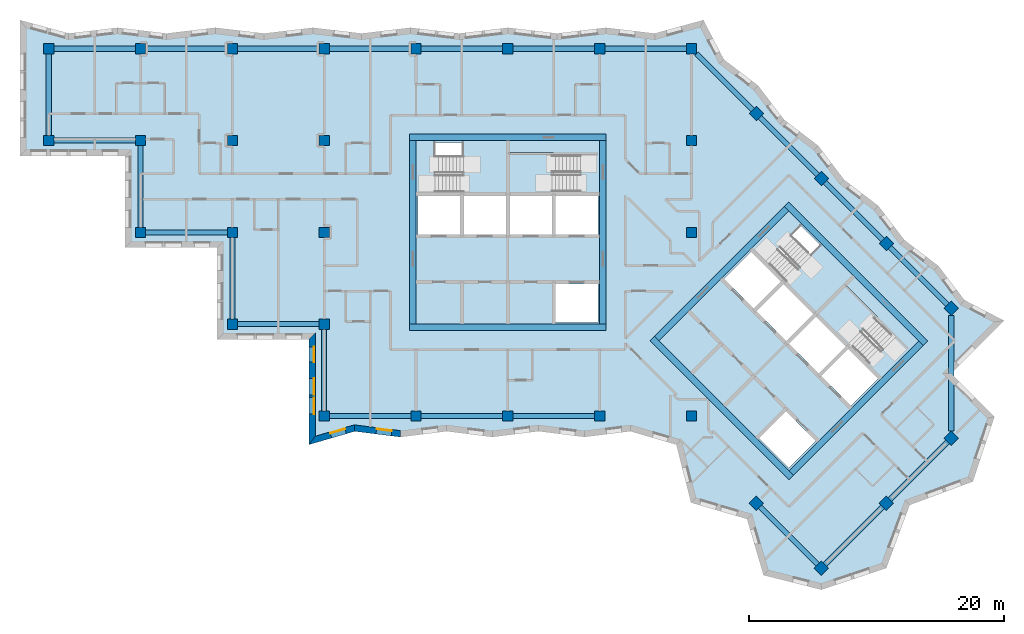
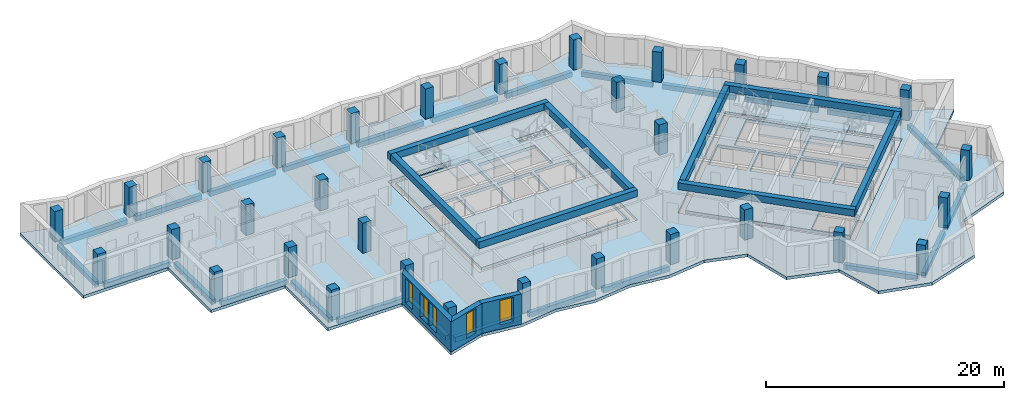
# One storey, part 1 of 12: 33 beams, 32 columns, 7 slabs, 5 windows, 3 walls, 21 openings, 4 elements without a shape of their own.
"""IFC4 building model written with IfcOpenShell, lengths in metres."""

from ifc_helpers import new_model, si_unit, direction, frame, frame_2d, origin, origin_2d, place, context, subcontext, project, spatial, polyline, rectangle, outline, extrude, material, layer, layer_set, material_profile, profile_set, type_object, element, fill, aggregate, save


model = new_model("IFC4")

# Units and contexts
model_context = context("Model", 3, precision=1e-05, world=origin(), true_north=direction((0.0, 1.0)))
body_context = subcontext(model_context, "Body", "Model", "MODEL_VIEW")
ifc_project = project(units=[si_unit("LENGTHUNIT", "METRE"), si_unit("AREAUNIT", "SQUARE_METRE"), si_unit("VOLUMEUNIT", "CUBIC_METRE"), si_unit("PLANEANGLEUNIT", "RADIAN"), si_unit("MASSUNIT", "GRAM", prefix="KILO")], contexts=[model_context])

# Site, building, storey
site_placement = place(None, origin())
site = spatial("IfcSite", under=ifc_project, at=site_placement, CompositionType="ELEMENT")
building_placement = place(site_placement, origin())
building = spatial("IfcBuilding", under=site, at=building_placement, Name="Windrow Commons", CompositionType="ELEMENT")
storey_placement = place(building_placement, frame((0.0, 0.0, 206.6)))
storey = spatial("IfcBuildingStorey", under=building, at=storey_placement, Name="L56", CompositionType="ELEMENT", Elevation=206.6)

# Columns
ifc_material_1 = material(Name="Concrete C50/60", Category="concrete")
ifc_material_profile_1 = material_profile(ifc_material_1, rectangle(XDim=0.8, YDim=0.8, at=origin_2d()))
ifc_profile_set_1 = profile_set([ifc_material_profile_1], Name="Concrete C50/60")
column_type = type_object("IfcColumnType", Name="RC COLUMN 800x800 C50/60", PredefinedType="COLUMN", material=ifc_profile_set_1)
for number, where, z_axis, x_axis, name in (
    (1, (28.8, 64.8, 0.0), (0.0, 0.0, 1.0), (1.0, 0.0, 0.0), "C-Z4-05I"),
    (2, (28.8, 72.0, 0.0), (0.0, 0.0, 1.0), (1.0, 0.0, 0.0), "C-Z4-05J"),
    (3, (36.0, 57.6, 0.0), (0.0, 0.0, 1.0), (1.0, 0.0, 0.0), "C-Z4-06H"),
    (4, (36.0, 64.8, 0.0), (0.0, 0.0, 1.0), (1.0, 0.0, 0.0), "C-Z4-06I"),
    (5, (36.0, 72.0, 0.0), (0.0, 0.0, 1.0), (1.0, 0.0, 0.0), "C-Z4-06J"),
    (6, (43.2, 50.4, 0.0), (0.0, 0.0, 1.0), (1.0, 0.0, 0.0), "C-Z4-07G"),
    (7, (43.2, 57.6, 0.0), (0.0, 0.0, 1.0), (1.0, 0.0, 0.0), "C-Z4-07H"),
    (8, (43.2, 64.8, 0.0), (0.0, 0.0, 1.0), (1.0, 0.0, 0.0), "C-Z4-07I"),
    (9, (43.2, 72.0, 0.0), (0.0, 0.0, 1.0), (1.0, 0.0, 0.0), "C-Z4-07J"),
    (10, (50.4, 43.2, 0.0), (0.0, 0.0, 1.0), (1.0, 0.0, 0.0), "C-Z4-08F"),
    (11, (50.4, 50.4, 0.0), (0.0, 0.0, 1.0), (1.0, 0.0, 0.0), "C-Z4-08G"),
    (12, (50.4, 57.6, 0.0), (0.0, 0.0, 1.0), (1.0, 0.0, 0.0), "C-Z4-08H"),
    (13, (50.4, 64.8, 0.0), (0.0, 0.0, 1.0), (1.0, 0.0, 0.0), "C-Z4-08I"),
    (14, (50.4, 72.0, 0.0), (0.0, 0.0, 1.0), (1.0, 0.0, 0.0), "C-Z4-08J"),
    (15, (57.6, 43.2, 0.0), (0.0, 0.0, 1.0), (1.0, 0.0, 0.0), "C-Z4-09F"),
    (16, (57.6, 72.0, 0.0), (0.0, 0.0, 1.0), (1.0, 0.0, 0.0), "C-Z4-09J"),
    (17, (64.8, 43.2, 0.0), (0.0, 0.0, 1.0), (1.0, 0.0, 0.0), "C-Z4-10F"),
    (18, (64.8, 72.0, 0.0), (0.0, 0.0, 1.0), (1.0, 0.0, 0.0), "C-Z4-10J"),
    (19, (72.0, 43.2, 0.0), (0.0, 0.0, 1.0), (1.0, 0.0, 0.0), "C-Z4-11F"),
    (20, (72.0, 72.0, 0.0), (0.0, 0.0, 1.0), (1.0, 0.0, 0.0), "C-Z4-11J"),
    (21, (79.2, 43.2, 0.0), (0.0, 0.0, 1.0), (1.0, 0.0, 0.0), "C-Z4-12F"),
    (22, (79.2, 57.6, 0.0), (0.0, 0.0, 1.0), (1.0, 0.0, 0.0), "C-Z4-12H"),
    (23, (79.2, 64.8, 0.0), (0.0, 0.0, 1.0), (1.0, 0.0, 0.0), "C-Z4-12I"),
    (24, (79.2, 72.0, 0.0), (0.0, 0.0, 1.0), (1.0, 0.0, 0.0), "C-Z4-12J"),
    (25, (84.2912, 66.9088, 0.0), (0.0, 0.0, 1.0), (0.7071067812, -0.7071067812, 0.0), "C-Z4-P2Q"),
    (26, (89.3823, 61.8177, 0.0), (0.0, 0.0, 1.0), (0.7071067812, -0.7071067812, 0.0), "C-Z4-P3Q"),
    (27, (94.4735, 56.7265, 0.0), (0.0, 0.0, 1.0), (0.7071067812, -0.7071067812, 0.0), "C-Z4-P4Q"),
    (28, (99.5647, 51.6353, 0.0), (0.0, 0.0, 1.0), (0.7071067812, -0.7071067812, 0.0), "C-Z4-P5Q"),
    (29, (84.2912, 36.3618, 0.0), (0.0, 0.0, 1.0), (0.7071067812, -0.7071067812, 0.0), "C-Z4-P5T"),
    (30, (99.5647, 41.453, 0.0), (0.0, 0.0, 1.0), (0.7071067812, -0.7071067812, 0.0), "C-Z4-P6R"),
    (31, (94.4735, 36.3618, 0.0), (0.0, 0.0, 1.0), (0.7071067812, -0.7071067812, 0.0), "C-Z4-P6S"),
    (32, (89.3823, 31.2706, 0.0), (0.0, 0.0, 1.0), (0.7071067812, -0.7071067812, 0.0), "C-Z4-P6T"),
):
    element("IfcColumn", number, at=place(storey_placement, frame(where, z_axis=z_axis, x_axis=x_axis)), inside=storey, type_object=column_type, Name=name, PredefinedType="COLUMN", context=body_context, shape_type="SweptSolid", body=[
        extrude(rectangle(XDim=0.8, YDim=0.8, at=origin_2d()), origin(), (0.0, 0.0, 1.0), 3.1),
    ])

# Beams
ifc_material_2 = material(Name="Concrete C40/50", Category="concrete")
ifc_material_profile_2 = material_profile(ifc_material_2, rectangle(XDim=0.5, YDim=0.7, at=origin_2d()))
ifc_profile_set_2 = profile_set([ifc_material_profile_2], Name="Concrete C40/50")
beam_type_1 = type_object("IfcBeamType", Name="RC COUPLING BEAM 500x700 C40/50", PredefinedType="LINTEL", material=ifc_profile_set_2)
for number, where, z_axis, x_axis, name in (
    (33, (57.1, 50.15, 2.75), (1.0, 0.0, 0.0), (0.0, 1.0, 0.0), "Core A coupling beam outer-S"),
    (34, (57.1, 65.05, 2.75), (1.0, 0.0, 0.0), (0.0, 1.0, 0.0), "Core A coupling beam outer-N"),
):
    element("IfcBeam", number, at=place(storey_placement, frame(where, z_axis=z_axis, x_axis=x_axis)), inside=storey, type_object=beam_type_1, Name=name, PredefinedType="LINTEL", context=body_context, shape_type="SweptSolid", body=[
        extrude(rectangle(XDim=0.5, YDim=0.7, at=origin_2d()), origin(), (0.0, 0.0, 1.0), 15.4),
    ])
for number, where, z_axis, x_axis, name in (
    (35, (57.35, 50.4, 2.75), (0.0, 1.0, 0.0), (-1.0, 0.0, 0.0), "Core A coupling beam outer-W"),
    (36, (72.25, 50.4, 2.75), (0.0, 1.0, 0.0), (-1.0, 0.0, 0.0), "Core A coupling beam outer-E"),
):
    element("IfcBeam", number, at=place(storey_placement, frame(where, z_axis=z_axis, x_axis=x_axis)), inside=storey, type_object=beam_type_1, Name=name, PredefinedType="LINTEL", context=body_context, shape_type="SweptSolid", body=[
        extrude(rectangle(XDim=0.5, YDim=0.7, at=origin_2d()), origin(), (0.0, 0.0, 1.0), 14.4),
    ])
for number, where, z_axis, x_axis, name in (
    (37, (76.1241, 49.2665, 2.75), (0.7071067812, -0.7071067812, 0.0), (0.7071067812, 0.7071067812, 0.0), "Core B coupling beam outer-S"),
    (38, (86.66, 59.8024, 2.75), (0.7071067812, -0.7071067812, 0.0), (0.7071067812, 0.7071067812, 0.0), "Core B coupling beam outer-N"),
):
    element("IfcBeam", number, at=place(storey_placement, frame(where, z_axis=z_axis, x_axis=x_axis)), inside=storey, type_object=beam_type_1, Name=name, PredefinedType="LINTEL", context=body_context, shape_type="SweptSolid", body=[
        extrude(rectangle(XDim=0.5, YDim=0.7, at=origin_2d()), origin(), (0.0, 0.0, 1.0), 15.3999),
    ])
for number, where, z_axis, x_axis, name in (
    (39, (76.4776, 49.2665, 2.75), (0.7071067812, 0.7071067812, 0.0), (-0.7071067812, 0.7071067812, 0.0), "Core B coupling beam outer-W"),
    (40, (87.0135, 38.7306, 2.75), (0.7071067812, 0.7071067812, 0.0), (-0.7071067812, 0.7071067812, 0.0), "Core B coupling beam outer-E"),
):
    element("IfcBeam", number, at=place(storey_placement, frame(where, z_axis=z_axis, x_axis=x_axis)), inside=storey, type_object=beam_type_1, Name=name, PredefinedType="LINTEL", context=body_context, shape_type="SweptSolid", body=[
        extrude(rectangle(XDim=0.5, YDim=0.7, at=origin_2d()), origin(), (0.0, 0.0, 1.0), 14.4001),
    ])
ifc_material_3 = material(Name="Concrete C40/50", Category="concrete")
ifc_material_profile_3 = material_profile(ifc_material_3, rectangle(XDim=0.4, YDim=0.5, at=origin_2d()))
ifc_profile_set_3 = profile_set([ifc_material_profile_3], Name="Concrete C40/50")
beam_type_2 = type_object("IfcBeamType", Name="RC EDGE BEAM 400x500 C40/50", PredefinedType="SPANDREL", material=ifc_profile_set_3)
for number, where, z_axis, x_axis, name in (
    (41, (57.2, 43.2, -0.55), (-1.0, 0.0, 0.0), (0.0, -1.0, 0.0), "Edge beam L56 001"),
    (42, (50.4, 43.6, -0.55), (0.0, 1.0, 0.0), (-1.0, 0.0, 0.0), "Edge beam L56 002"),
    (43, (50.0, 50.4, -0.55), (-1.0, 0.0, 0.0), (0.0, -1.0, 0.0), "Edge beam L56 003"),
    (44, (43.2, 50.8, -0.55), (0.0, 1.0, 0.0), (-1.0, 0.0, 0.0), "Edge beam L56 004"),
    (45, (42.8, 57.6, -0.55), (-1.0, 0.0, 0.0), (0.0, -1.0, 0.0), "Edge beam L56 005"),
    (46, (36.0, 58.0, -0.55), (0.0, 1.0, 0.0), (-1.0, 0.0, 0.0), "Edge beam L56 006"),
    (47, (35.6, 64.8, -0.55), (-1.0, 0.0, 0.0), (0.0, -1.0, 0.0), "Edge beam L56 007"),
    (48, (28.8, 65.2, -0.55), (0.0, 1.0, 0.0), (-1.0, 0.0, 0.0), "Edge beam L56 008"),
    (49, (29.2, 72.0, -0.55), (1.0, 0.0, 0.0), (0.0, 1.0, 0.0), "Edge beam L56 009"),
    (50, (36.4, 72.0, -0.55), (1.0, 0.0, 0.0), (0.0, 1.0, 0.0), "Edge beam L56 010"),
    (51, (43.6, 72.0, -0.55), (1.0, 0.0, 0.0), (0.0, 1.0, 0.0), "Edge beam L56 011"),
    (52, (50.8, 72.0, -0.55), (1.0, 0.0, 0.0), (0.0, 1.0, 0.0), "Edge beam L56 012"),
    (53, (58.0, 72.0, -0.55), (1.0, 0.0, 0.0), (0.0, 1.0, 0.0), "Edge beam L56 013"),
    (54, (65.2, 72.0, -0.55), (1.0, 0.0, 0.0), (0.0, 1.0, 0.0), "Edge beam L56 014"),
    (55, (72.4, 72.0, -0.55), (1.0, 0.0, 0.0), (0.0, 1.0, 0.0), "Edge beam L56 015"),
):
    element("IfcBeam", number, at=place(storey_placement, frame(where, z_axis=z_axis, x_axis=x_axis)), inside=storey, type_object=beam_type_2, Name=name, PredefinedType="SPANDREL", context=body_context, shape_type="SweptSolid", body=[
        extrude(rectangle(XDim=0.4, YDim=0.5, at=origin_2d()), origin(), (0.0, 0.0, 1.0), 6.4),
    ])
beam_1_placement = place(storey_placement, frame((79.6, 71.6, -0.55), z_axis=(0.7071067812, -0.7071067812, 0.0), x_axis=(0.7071067812, 0.7071067812, 0.0)))
element("IfcBeam", 56, at=beam_1_placement, inside=storey, type_object=beam_type_2, Name="Edge beam L56 016", PredefinedType="SPANDREL", context=body_context, shape_type="SweptSolid", body=[
    extrude(rectangle(XDim=0.4, YDim=0.5, at=origin_2d()), origin(), (0.0, 0.0, 1.0), 6.2344),
])
beam_2_placement = place(storey_placement, frame((84.574, 66.626, -0.55), z_axis=(0.7071067812, -0.7071067812, 0.0), x_axis=(0.7071067812, 0.7071067812, 0.0)))
element("IfcBeam", 57, at=beam_2_placement, inside=storey, type_object=beam_type_2, Name="Edge beam L56 017", PredefinedType="SPANDREL", context=body_context, shape_type="SweptSolid", body=[
    extrude(rectangle(XDim=0.4, YDim=0.5, at=origin_2d()), origin(), (0.0, 0.0, 1.0), 6.4),
])
for number, where, z_axis, x_axis, name in (
    (58, (89.6651, 61.5349, -0.55), (0.7071067812, -0.7071067812, 0.0), (0.7071067812, 0.7071067812, 0.0), "Edge beam L56 018"),
    (59, (94.7563, 56.4437, -0.55), (0.7071067812, -0.7071067812, 0.0), (0.7071067812, 0.7071067812, 0.0), "Edge beam L56 019"),
):
    element("IfcBeam", number, at=place(storey_placement, frame(where, z_axis=z_axis, x_axis=x_axis)), inside=storey, type_object=beam_type_2, Name=name, PredefinedType="SPANDREL", context=body_context, shape_type="SweptSolid", body=[
        extrude(rectangle(XDim=0.4, YDim=0.5, at=origin_2d()), origin(), (0.0, 0.0, 1.0), 6.4002),
    ])
beam_3_placement = place(storey_placement, frame((99.5647, 51.0696, -0.55), z_axis=(0.0, -1.0, 0.0), x_axis=(1.0, 0.0, 0.0)))
element("IfcBeam", 60, at=beam_3_placement, inside=storey, type_object=beam_type_2, Name="Edge beam L56 020", PredefinedType="SPANDREL", context=body_context, shape_type="SweptSolid", body=[
    extrude(rectangle(XDim=0.4, YDim=0.5, at=origin_2d()), origin(), (0.0, 0.0, 1.0), 9.0509),
])
for number, where, z_axis, x_axis, name in (
    (61, (99.2819, 41.1702, -0.55), (-0.7071067812, -0.7071067812, 0.0), (0.7071067812, -0.7071067812, 0.0), "Edge beam L56 021"),
    (62, (94.1907, 36.079, -0.55), (-0.7071067812, -0.7071067812, 0.0), (0.7071067812, -0.7071067812, 0.0), "Edge beam L56 022"),
):
    element("IfcBeam", number, at=place(storey_placement, frame(where, z_axis=z_axis, x_axis=x_axis)), inside=storey, type_object=beam_type_2, Name=name, PredefinedType="SPANDREL", context=body_context, shape_type="SweptSolid", body=[
        extrude(rectangle(XDim=0.4, YDim=0.5, at=origin_2d()), origin(), (0.0, 0.0, 1.0), 6.4002),
    ])
beam_4_placement = place(storey_placement, frame((89.0995, 31.5534, -0.55), z_axis=(-0.7070989688, 0.7071145935, 0.0), x_axis=(-0.7071145935, -0.7070989688, 0.0)))
element("IfcBeam", 63, at=beam_4_placement, inside=storey, type_object=beam_type_2, Name="Edge beam L56 023", PredefinedType="SPANDREL", context=body_context, shape_type="SweptSolid", body=[
    extrude(rectangle(XDim=0.4, YDim=0.5, at=origin_2d()), origin(), (0.0, 0.0, 1.0), 6.4001),
])
for number, where, z_axis, x_axis, name in (
    (64, (71.6, 43.2, -0.55), (-1.0, 0.0, 0.0), (0.0, -1.0, 0.0), "Edge beam L56 024"),
    (65, (64.4, 43.2, -0.55), (-1.0, 0.0, 0.0), (0.0, -1.0, 0.0), "Edge beam L56 025"),
):
    element("IfcBeam", number, at=place(storey_placement, frame(where, z_axis=z_axis, x_axis=x_axis)), inside=storey, type_object=beam_type_2, Name=name, PredefinedType="SPANDREL", context=body_context, shape_type="SweptSolid", body=[
        extrude(rectangle(XDim=0.4, YDim=0.5, at=origin_2d()), origin(), (0.0, 0.0, 1.0), 6.4),
    ])

# Slab, openings
ifc_material_4 = material(Name="Concrete C40/50", Category="concrete")
ifc_layer_1 = layer(ifc_material_4, 0.3)
ifc_layer_set_1 = layer_set([ifc_layer_1], Name="CORE FLOOR SLAB 300 C40/50")
slab_type_1 = type_object("IfcSlabType", Name="CORE FLOOR SLAB 300 C40/50", PredefinedType="FLOOR", material=ifc_layer_set_1)
placement_1 = place(storey_placement, frame((0.0, 0.0, -0.3)))
slab_1 = element("IfcSlab", 66, at=placement_1, inside=storey, type_object=slab_type_1, Name="S-L56-core-A", PredefinedType="FLOOR", context=body_context, shape_type="SweptSolid", body=[
    extrude(outline(polyline([(57.6, 50.4), (72.0, 50.4), (72.0, 64.8), (57.6, 64.8), (57.6, 50.4)]), holes=[polyline([(68.55, 50.55), (71.85, 50.55), (71.85, 53.55), (68.55, 53.55), (68.55, 50.55)]), polyline([(57.75, 57.45), (61.05, 57.45), (61.05, 60.45), (57.75, 60.45), (57.75, 57.45)]), polyline([(61.35, 57.45), (64.65, 57.45), (64.65, 60.45), (61.35, 60.45), (61.35, 57.45)]), polyline([(64.95, 57.45), (68.25, 57.45), (68.25, 60.45), (64.95, 60.45), (64.95, 57.45)]), polyline([(68.55, 57.45), (71.85, 57.45), (71.85, 60.45), (68.55, 60.45), (68.55, 57.45)]), polyline([(59.1, 60.75), (64.65, 60.75), (64.65, 64.65), (59.1, 64.65), (59.1, 60.75)]), polyline([(64.95, 60.75), (70.5, 60.75), (70.5, 63.705), (64.95, 63.705), (64.95, 60.75)])]), origin(), (0.0, 0.0, 1.0), 0.3),
])
opening_1_placement = place(placement_1, origin())
element("IfcOpeningElement", 67, at=opening_1_placement, cuts=slab_1, Name="Slab opening S-L56-core-A 1", PredefinedType="OPENING", context=body_context, shape_type="SweptSolid", body=[
    extrude(outline(polyline([(68.555, 50.555), (68.555, 53.545), (71.845, 53.545), (71.845, 50.555), (68.555, 50.555)])), origin(), (0.0, 0.0, 1.0), 0.3),
])
opening_2_placement = place(placement_1, origin())
element("IfcOpeningElement", 68, at=opening_2_placement, cuts=slab_1, Name="Slab opening S-L56-core-A 2", PredefinedType="OPENING", context=body_context, shape_type="SweptSolid", body=[
    extrude(outline(polyline([(57.755, 57.455), (57.755, 60.445), (61.045, 60.445), (61.045, 57.455), (57.755, 57.455)])), origin(), (0.0, 0.0, 1.0), 0.3),
])
opening_3_placement = place(placement_1, origin())
element("IfcOpeningElement", 69, at=opening_3_placement, cuts=slab_1, Name="Slab opening S-L56-core-A 3", PredefinedType="OPENING", context=body_context, shape_type="SweptSolid", body=[
    extrude(outline(polyline([(61.355, 57.455), (61.355, 60.445), (64.645, 60.445), (64.645, 57.455), (61.355, 57.455)])), origin(), (0.0, 0.0, 1.0), 0.3),
])
opening_4_placement = place(placement_1, origin())
element("IfcOpeningElement", 70, at=opening_4_placement, cuts=slab_1, Name="Slab opening S-L56-core-A 4", PredefinedType="OPENING", context=body_context, shape_type="SweptSolid", body=[
    extrude(outline(polyline([(64.955, 57.455), (64.955, 60.445), (68.245, 60.445), (68.245, 57.455), (64.955, 57.455)])), origin(), (0.0, 0.0, 1.0), 0.3),
])
opening_5_placement = place(placement_1, origin())
element("IfcOpeningElement", 71, at=opening_5_placement, cuts=slab_1, Name="Slab opening S-L56-core-A 5", PredefinedType="OPENING", context=body_context, shape_type="SweptSolid", body=[
    extrude(outline(polyline([(68.555, 57.455), (68.555, 60.445), (71.845, 60.445), (71.845, 57.455), (68.555, 57.455)])), origin(), (0.0, 0.0, 1.0), 0.3),
])
opening_6_placement = place(placement_1, origin())
element("IfcOpeningElement", 72, at=opening_6_placement, cuts=slab_1, Name="Slab opening S-L56-core-A 6", PredefinedType="OPENING", context=body_context, shape_type="SweptSolid", body=[
    extrude(outline(polyline([(59.105, 60.755), (59.105, 64.645), (64.645, 64.645), (64.645, 60.755), (59.105, 60.755)])), origin(), (0.0, 0.0, 1.0), 0.3),
])
opening_7_placement = place(placement_1, origin())
element("IfcOpeningElement", 73, at=opening_7_placement, cuts=slab_1, Name="Slab opening S-L56-core-A 7", PredefinedType="OPENING", context=body_context, shape_type="SweptSolid", body=[
    extrude(outline(polyline([(64.955, 60.755), (64.955, 63.7), (70.495, 63.7), (70.495, 60.755), (64.955, 60.755)])), origin(), (0.0, 0.0, 1.0), 0.3),
])

slab_2 = element("IfcSlab", 74, at=placement_1, inside=storey, type_object=slab_type_1, Name="S-L56-core-B", PredefinedType="FLOOR", context=body_context, shape_type="SweptSolid", body=[
    extrude(outline(polyline([(76.6544, 49.0897), (86.8368, 38.9074), (97.0191, 49.0897), (86.8368, 59.2721), (76.6544, 49.0897)]), holes=[polyline([(84.5033, 41.453), (86.8368, 39.1195), (88.9581, 41.2409), (86.6246, 43.5743), (84.5033, 41.453)]), polyline([(81.7456, 53.9688), (84.079, 51.6353), (86.2004, 53.7566), (83.8669, 56.0901), (81.7456, 53.9688)]), polyline([(84.2912, 51.4232), (86.6246, 49.0897), (88.7459, 51.2111), (86.4125, 53.5445), (84.2912, 51.4232)]), polyline([(86.8368, 48.8776), (89.1702, 46.5442), (91.2915, 48.6655), (88.9581, 50.9989), (86.8368, 48.8776)]), polyline([(89.3823, 46.332), (91.7158, 43.9986), (93.8371, 46.1199), (91.5037, 48.4533), (89.3823, 46.332)]), polyline([(85.0336, 55.3476), (88.9581, 51.4232), (91.7158, 54.1809), (87.7913, 58.1054), (85.0336, 55.3476)]), polyline([(89.1702, 51.2111), (93.0946, 47.2866), (95.1841, 49.3761), (91.2597, 53.3006), (89.1702, 51.2111)])]), origin(), (0.0, 0.0, 1.0), 0.3),
])
opening_8_placement = place(placement_1, origin())
element("IfcOpeningElement", 75, at=opening_8_placement, cuts=slab_2, Name="Slab opening S-L56-core-B 1", PredefinedType="OPENING", context=body_context, shape_type="SweptSolid", body=[
    extrude(outline(polyline([(84.5104, 41.453), (86.6246, 43.5672), (88.951, 41.2409), (86.8368, 39.1266), (84.5104, 41.453)])), origin(), (0.0, 0.0, 1.0), 0.3),
])
opening_9_placement = place(placement_1, origin())
element("IfcOpeningElement", 76, at=opening_9_placement, cuts=slab_2, Name="Slab opening S-L56-core-B 2", PredefinedType="OPENING", context=body_context, shape_type="SweptSolid", body=[
    extrude(outline(polyline([(81.7527, 53.9688), (83.8669, 56.083), (86.1933, 53.7566), (84.079, 51.6424), (81.7527, 53.9688)])), origin(), (0.0, 0.0, 1.0), 0.3),
])
opening_10_placement = place(placement_1, origin())
element("IfcOpeningElement", 77, at=opening_10_placement, cuts=slab_2, Name="Slab opening S-L56-core-B 3", PredefinedType="OPENING", context=body_context, shape_type="SweptSolid", body=[
    extrude(outline(polyline([(84.2983, 51.4232), (86.4125, 53.5374), (88.7388, 51.2111), (86.6246, 49.0968), (84.2983, 51.4232)])), origin(), (0.0, 0.0, 1.0), 0.3),
])
opening_11_placement = place(placement_1, origin())
element("IfcOpeningElement", 78, at=opening_11_placement, cuts=slab_2, Name="Slab opening S-L56-core-B 4", PredefinedType="OPENING", context=body_context, shape_type="SweptSolid", body=[
    extrude(outline(polyline([(86.8439, 48.8776), (88.9581, 50.9918), (91.2844, 48.6655), (89.1702, 46.5513), (86.8439, 48.8776)])), origin(), (0.0, 0.0, 1.0), 0.3),
])
opening_12_placement = place(placement_1, origin())
element("IfcOpeningElement", 79, at=opening_12_placement, cuts=slab_2, Name="Slab opening S-L56-core-B 5", PredefinedType="OPENING", context=body_context, shape_type="SweptSolid", body=[
    extrude(outline(polyline([(89.3894, 46.332), (91.5037, 48.4462), (93.83, 46.1199), (91.7158, 44.0057), (89.3894, 46.332)])), origin(), (0.0, 0.0, 1.0), 0.3),
])
opening_13_placement = place(placement_1, origin())
element("IfcOpeningElement", 80, at=opening_13_placement, cuts=slab_2, Name="Slab opening S-L56-core-B 6", PredefinedType="OPENING", context=body_context, shape_type="SweptSolid", body=[
    extrude(outline(polyline([(85.0407, 55.3476), (87.7913, 58.0983), (91.7087, 54.1809), (88.9581, 51.4303), (85.0407, 55.3476)])), origin(), (0.0, 0.0, 1.0), 0.3),
])
opening_14_placement = place(placement_1, origin())
element("IfcOpeningElement", 81, at=opening_14_placement, cuts=slab_2, Name="Slab opening S-L56-core-B 7", PredefinedType="OPENING", context=body_context, shape_type="SweptSolid", body=[
    extrude(outline(polyline([(89.1773, 51.2111), (91.2597, 53.2935), (95.177, 49.3761), (93.0946, 47.2937), (89.1773, 51.2111)])), origin(), (0.0, 0.0, 1.0), 0.3),
])

# Stair, slab
ifc_material_5 = material(Name="Concrete C40/50", Category="concrete")
stair_type = type_object("IfcStairType", Name="Core stair", PredefinedType="HALF_TURN_STAIR", material=ifc_material_5)
placement_2 = place(storey_placement, origin())
stair_1 = element("IfcStair", 82, at=placement_2, inside=storey, type_object=stair_type, Name="L56 Exit stair A1 core A", PredefinedType="HALF_TURN_STAIR")
ifc_material_6 = material(Name="Concrete C40/50", Category="concrete")
ifc_layer_2 = layer(ifc_material_6, 0.2)
ifc_layer_set_2 = layer_set([ifc_layer_2], Name="Core stair landing")
slab_type_2 = type_object("IfcSlabType", Name="Core stair landing", PredefinedType="LANDING", material=ifc_layer_set_2)
placement_3 = place(storey_placement, frame((0.0, 0.0, 1.5)))
slab_3 = element("IfcSlab", 83, at=placement_3, type_object=slab_type_2, Name="ST-A1 landing 1", PredefinedType="LANDING", context=body_context, shape_type="SweptSolid", body=[
    extrude(outline(polyline([(61.22, 60.5), (64.8, 60.5), (64.8, 64.9), (61.22, 64.9), (61.22, 60.5)])), origin(), (0.0, 0.0, 1.0), 0.2),
])
aggregate(stair_1, [slab_3])

stair_2 = element("IfcStair", 84, at=placement_2, inside=storey, type_object=stair_type, Name="L56 Exit stair A2 core A", PredefinedType="HALF_TURN_STAIR")
slab_4 = element("IfcSlab", 85, at=placement_3, type_object=slab_type_2, Name="ST-A2 landing 1", PredefinedType="LANDING", context=body_context, shape_type="SweptSolid", body=[
    extrude(outline(polyline([(64.8, 60.5), (68.38, 60.5), (68.38, 63.855), (64.8, 63.855), (64.8, 60.5)])), origin(), (0.0, 0.0, 1.0), 0.2),
])
aggregate(stair_2, [slab_4])

stair_3 = element("IfcStair", 86, at=placement_2, inside=storey, type_object=stair_type, Name="L56 Exit stair B1 core B", PredefinedType="HALF_TURN_STAIR")
slab_5 = element("IfcSlab", 87, at=placement_3, type_object=slab_type_2, Name="ST-B1 landing 1", PredefinedType="LANDING", context=body_context, shape_type="SweptSolid", body=[
    extrude(outline(polyline([(86.3559, 53.6718), (88.8874, 51.1403), (91.9986, 54.2516), (89.4672, 56.7831), (86.3559, 53.6718)])), origin(), (0.0, 0.0, 1.0), 0.2),
])
aggregate(stair_3, [slab_5])

stair_4 = element("IfcStair", 88, at=placement_2, inside=storey, type_object=stair_type, Name="L56 Exit stair B2 core B", PredefinedType="HALF_TURN_STAIR")
slab_6 = element("IfcSlab", 89, at=placement_3, type_object=slab_type_2, Name="ST-B2 landing 1", PredefinedType="LANDING", context=body_context, shape_type="SweptSolid", body=[
    extrude(outline(polyline([(88.8874, 51.1403), (91.4188, 48.6089), (93.7911, 50.9812), (91.2597, 53.5127), (88.8874, 51.1403)])), origin(), (0.0, 0.0, 1.0), 0.2),
])
aggregate(stair_4, [slab_6])

# Slab, openings
ifc_material_7 = material(Name="Concrete C40/50", Category="concrete")
ifc_layer_3 = layer(ifc_material_7, 0.3)
ifc_layer_set_3 = layer_set([ifc_layer_3], Name="FLOOR SLAB 300 C40/50")
slab_type_3 = type_object("IfcSlabType", Name="FLOOR SLAB 300 C40/50", PredefinedType="FLOOR", material=ifc_layer_set_3)
slab_7 = element("IfcSlab", 90, at=placement_1, inside=storey, type_object=slab_type_3, Name="S-L56-floor", PredefinedType="FLOOR", context=body_context, shape_type="SweptSolid", body=[
    extrude(outline(polyline([(84.8414, 30.7204), (89.3823, 29.5736), (94.4735, 31.2706), (96.312, 36.2204), (101.2617, 38.0588), (102.9588, 43.15), (99.5647, 46.5442), (103.702, 50.6815), (100.6018, 52.2953), (98.5638, 54.9711), (95.8879, 57.0092), (93.8499, 59.685), (91.174, 61.7231), (89.136, 64.3989), (86.4601, 66.437), (84.4221, 69.1128), (81.7462, 71.1509), (80.1324, 74.251), (76.305, 73.2), (72.4777, 73.651), (68.6503, 73.2), (64.8229, 73.651), (60.9955, 73.2), (57.1681, 73.651), (53.3407, 73.2), (49.5133, 73.651), (45.6859, 73.2), (41.8586, 73.651), (38.0312, 73.2), (34.2038, 73.651), (30.3764, 73.2), (26.549, 74.251), (26.549, 63.6), (34.8, 63.6), (34.8, 56.4), (42.0, 56.4), (42.0, 49.2), (49.2, 49.2), (49.2, 40.949), (52.8009, 42.0), (56.4017, 41.549), (60.0026, 42.0), (63.6035, 41.549), (67.2043, 42.0), (70.8052, 41.549), (74.406, 42.0), (78.0069, 40.949), (79.1537, 36.4081), (83.5532, 35.1199), (84.8414, 30.7204)]), holes=[polyline([(75.9473, 49.0897), (86.8368, 59.9792), (97.7262, 49.0897), (86.8368, 38.2003), (75.9473, 49.0897)]), polyline([(57.1, 49.9), (57.1, 65.3), (72.5, 65.3), (72.5, 49.9), (57.1, 49.9)])]), origin(), (0.0, 0.0, 1.0), 0.3),
])
opening_15_placement = place(placement_1, origin())
element("IfcOpeningElement", 91, at=opening_15_placement, cuts=slab_7, Name="Slab opening S-L56-floor 1", PredefinedType="OPENING", context=body_context, shape_type="SweptSolid", body=[
    extrude(outline(polyline([(75.9544, 49.0897), (86.8368, 59.9721), (97.7191, 49.0897), (86.8368, 38.2074), (75.9544, 49.0897)])), origin(), (0.0, 0.0, 1.0), 0.3),
])
opening_16_placement = place(placement_1, origin())
element("IfcOpeningElement", 92, at=opening_16_placement, cuts=slab_7, Name="Slab opening S-L56-floor 2", PredefinedType="OPENING", context=body_context, shape_type="SweptSolid", body=[
    extrude(outline(polyline([(57.105, 49.905), (57.105, 65.295), (72.495, 65.295), (72.495, 49.905), (57.105, 49.905)])), origin(), (0.0, 0.0, 1.0), 0.3),
])

# Wall, openings, windows
ifc_material_8 = material(Name="Brick masonry, red clay brick", Category="masonry")
ifc_layer_4 = layer(ifc_material_8, 0.5)
ifc_layer_set_4 = layer_set([ifc_layer_4], Name="Brick facade wall 500")
wall_type = type_object("IfcWallType", Name="Brick facade wall 500", PredefinedType="SOLIDWALL", material=ifc_layer_set_4)
wall_1_placement = place(storey_placement, frame((49.45, 49.45, 0.0), z_axis=(0.0, 0.0, 1.0), x_axis=(0.0, -1.0, 0.0)))
wall_1 = element("IfcWall", 93, at=wall_1_placement, inside=storey, type_object=wall_type, Name="Brick facade wall L56 37", PredefinedType="SOLIDWALL", context=body_context, shape_type="SweptSolid", body=[
    extrude(outline(polyline([(0.25, -0.25), (8.501, -0.25), (7.8342, 0.25), (-0.25, 0.25), (0.25, -0.25)])), origin(), (0.0, 0.0, 1.0), 3.1),
])
opening_17_placement = place(wall_1_placement, frame((3.3, 0.0, 0.45)))
opening_17 = element("IfcOpeningElement", 94, at=opening_17_placement, cuts=wall_1, Name="Opening W1Q", PredefinedType="OPENING", context=body_context, shape_type="SweptSolid", body=[
    extrude(rectangle(XDim=1.3, YDim=2.5, at=frame_2d((0.65, 1.25))), frame((0.0, 0.26, 0.0), z_axis=(0.0, -1.0, 0.0), x_axis=(1.0, 0.0, 0.0)), (0.0, 0.0, 1.0), 0.52),
])
opening_18_placement = place(wall_1_placement, frame((4.8, 0.0, 0.45)))
opening_18 = element("IfcOpeningElement", 95, at=opening_18_placement, cuts=wall_1, Name="Opening W1Q", PredefinedType="OPENING", context=body_context, shape_type="SweptSolid", body=[
    extrude(rectangle(XDim=1.3, YDim=2.5, at=frame_2d((0.65, 1.25))), frame((0.0, 0.26, 0.0), z_axis=(0.0, -1.0, 0.0), x_axis=(1.0, 0.0, 0.0)), (0.0, 0.0, 1.0), 0.52),
])
opening_19_placement = place(wall_1_placement, frame((0.825, 0.0, 0.45)))
opening_19 = element("IfcOpeningElement", 96, at=opening_19_placement, cuts=wall_1, Name="Opening W7E", PredefinedType="OPENING", context=body_context, shape_type="SweptSolid", body=[
    extrude(rectangle(XDim=1.2, YDim=2.5, at=frame_2d((0.6, 1.25))), frame((0.0, 0.26, 0.0), z_axis=(0.0, -1.0, 0.0), x_axis=(1.0, 0.0, 0.0)), (0.0, 0.0, 1.0), 0.52),
])
ifc_material_9 = material(Name="Clear float glass in anodised aluminium frame", Category="aluminium")
window_type_1 = type_object("IfcWindowType", Name="Window W1Q pair 1300x2500", PartitioningType="SINGLE_PANEL", PredefinedType="WINDOW", material=ifc_material_9)
window_1_placement = place(opening_17_placement, origin())
window_1 = element("IfcWindow", 97, at=window_1_placement, inside=storey, type_object=window_type_1, Name="Window L56 37.1A", OverallHeight=2.5, OverallWidth=1.3, PartitioningType="SINGLE_PANEL", PredefinedType="WINDOW", context=body_context, shape_type="SweptSolid", body=[
    extrude(rectangle(XDim=1.3, YDim=2.5, at=frame_2d((0.65, 1.25))), frame((0.0, 0.18, 0.0), z_axis=(0.0, -1.0, 0.0), x_axis=(1.0, 0.0, 0.0)), (0.0, 0.0, 1.0), 0.06),
])
fill(opening_17, window_1)
window_2_placement = place(opening_18_placement, origin())
window_2 = element("IfcWindow", 98, at=window_2_placement, inside=storey, type_object=window_type_1, Name="Window L56 37.1B", OverallHeight=2.5, OverallWidth=1.3, PartitioningType="SINGLE_PANEL", PredefinedType="WINDOW", context=body_context, shape_type="SweptSolid", body=[
    extrude(rectangle(XDim=1.3, YDim=2.5, at=frame_2d((0.65, 1.25))), frame((0.0, 0.18, 0.0), z_axis=(0.0, -1.0, 0.0), x_axis=(1.0, 0.0, 0.0)), (0.0, 0.0, 1.0), 0.06),
])
fill(opening_18, window_2)
ifc_material_10 = material(Name="Clear float glass in anodised aluminium frame", Category="aluminium")
window_type_2 = type_object("IfcWindowType", Name="Window W7 notch 1200x2500", PartitioningType="SINGLE_PANEL", PredefinedType="WINDOW", material=ifc_material_10)
window_3_placement = place(opening_19_placement, origin())
window_3 = element("IfcWindow", 99, at=window_3_placement, inside=storey, type_object=window_type_2, Name="Window L56 37.2", OverallHeight=2.5, OverallWidth=1.2, PartitioningType="SINGLE_PANEL", PredefinedType="WINDOW", context=body_context, shape_type="SweptSolid", body=[
    extrude(rectangle(XDim=1.2, YDim=2.5, at=frame_2d((0.6, 1.25))), frame((0.0, 0.18, 0.0), z_axis=(0.0, -1.0, 0.0), x_axis=(1.0, 0.0, 0.0)), (0.0, 0.0, 1.0), 0.06),
])
fill(opening_19, window_3)

# Wall, opening, window
wall_2_placement = place(storey_placement, frame((49.45, 41.2824, 0.0), z_axis=(0.0, 0.0, 1.0), x_axis=(0.9599454259, 0.2801870435, 0.0)))
wall_2 = element("IfcWall", 100, at=wall_2_placement, inside=storey, type_object=wall_type, Name="Brick facade wall L56 38", PredefinedType="SOLIDWALL", context=body_context, shape_type="SweptSolid", body=[
    extrude(outline(polyline([(-0.3334, -0.25), (3.4177, -0.25), (3.5213, 0.25), (0.3334, 0.25), (-0.3334, -0.25)])), origin(), (0.0, 0.0, 1.0), 3.1),
])
opening_20_placement = place(wall_2_placement, frame((1.5296, 0.0, 0.45)))
opening_20 = element("IfcOpeningElement", 101, at=opening_20_placement, cuts=wall_2, Name="Opening W7E", PredefinedType="OPENING", context=body_context, shape_type="SweptSolid", body=[
    extrude(rectangle(XDim=1.2, YDim=2.5, at=frame_2d((0.6, 1.25))), frame((0.0, 0.26, 0.0), z_axis=(0.0, -1.0, 0.0), x_axis=(1.0, 0.0, 0.0)), (0.0, 0.0, 1.0), 0.52),
])
window_4_placement = place(opening_20_placement, origin())
window_4 = element("IfcWindow", 102, at=window_4_placement, inside=storey, type_object=window_type_2, Name="Window L56 38.1", OverallHeight=2.5, OverallWidth=1.2, PartitioningType="SINGLE_PANEL", PredefinedType="WINDOW", context=body_context, shape_type="SweptSolid", body=[
    extrude(rectangle(XDim=1.2, YDim=2.5, at=frame_2d((0.6, 1.25))), frame((0.0, 0.18, 0.0), z_axis=(0.0, -1.0, 0.0), x_axis=(1.0, 0.0, 0.0)), (0.0, 0.0, 1.0), 0.06),
])
fill(opening_20, window_4)

wall_3_placement = place(storey_placement, frame((52.7805, 42.2545, 0.0), z_axis=(0.0, 0.0, 1.0), x_axis=(0.9922491844, -0.1242640575, 0.0)))
wall_3 = element("IfcWall", 103, at=wall_3_placement, inside=storey, type_object=wall_type, Name="Brick facade wall L56 39", PredefinedType="SOLIDWALL", context=body_context, shape_type="SweptSolid", body=[
    extrude(outline(polyline([(0.0518, -0.25), (3.6808, -0.25), (3.6182, 0.25), (-0.0518, 0.25), (0.0518, -0.25)])), origin(), (0.0, 0.0, 1.0), 3.1),
])
opening_21_placement = place(wall_3_placement, frame((1.7236, 0.0, 0.45)))
opening_21 = element("IfcOpeningElement", 104, at=opening_21_placement, cuts=wall_3, Name="Opening W7E", PredefinedType="OPENING", context=body_context, shape_type="SweptSolid", body=[
    extrude(rectangle(XDim=1.2, YDim=2.5, at=frame_2d((0.6, 1.25))), frame((0.0, 0.26, 0.0), z_axis=(0.0, -1.0, 0.0), x_axis=(1.0, 0.0, 0.0)), (0.0, 0.0, 1.0), 0.52),
])
window_5_placement = place(opening_21_placement, origin())
window_5 = element("IfcWindow", 105, at=window_5_placement, inside=storey, type_object=window_type_2, Name="Window L56 39.1", OverallHeight=2.5, OverallWidth=1.2, PartitioningType="SINGLE_PANEL", PredefinedType="WINDOW", context=body_context, shape_type="SweptSolid", body=[
    extrude(rectangle(XDim=1.2, YDim=2.5, at=frame_2d((0.6, 1.25))), frame((0.0, 0.18, 0.0), z_axis=(0.0, -1.0, 0.0), x_axis=(1.0, 0.0, 0.0)), (0.0, 0.0, 1.0), 0.06),
])
fill(opening_21, window_5)

save(model, "model.ifc")
